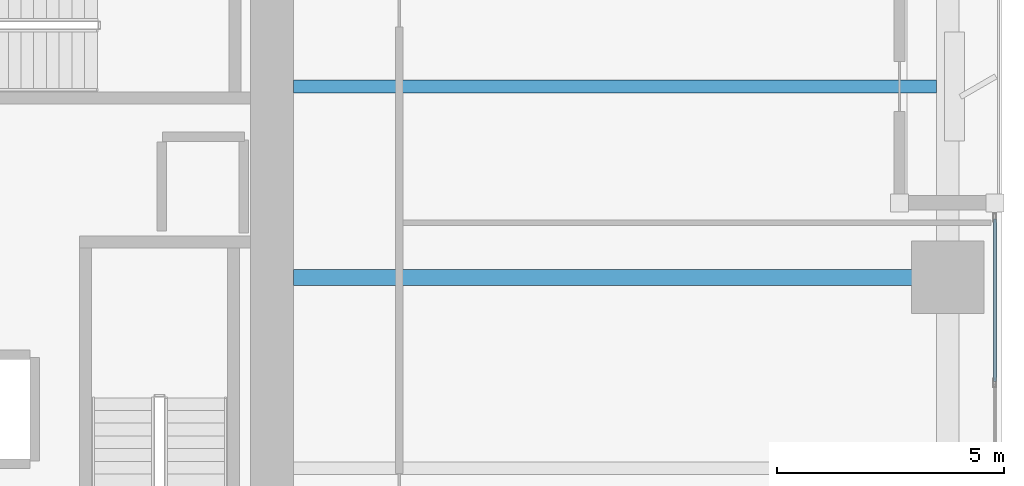
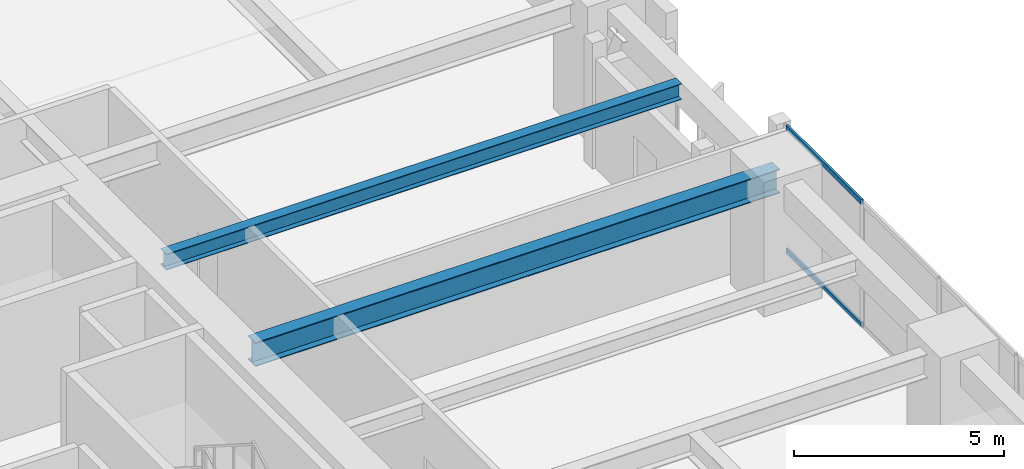
# One storey, part 9 of 28: 2 beams, 2 members, 1 element without a shape of its own.
"""IFC4 building model written with IfcOpenShell, lengths in metres."""

from ifc_helpers import new_model, si_unit, direction, frame, origin, origin_2d, place, context, subcontext, project, spatial, hollow_rectangle, i_section, extrude, material, layer, layer_set, material_profile, profile_set, type_object, element, aggregate, save


model = new_model("IFC4")

# Units and contexts
model_context = context("Model", 3, precision=1e-05, world=origin(), true_north=direction((0.0, 1.0)))
body_context = subcontext(model_context, "Body", "Model", "MODEL_VIEW")
ifc_project = project(units=[si_unit("LENGTHUNIT", "METRE"), si_unit("AREAUNIT", "SQUARE_METRE"), si_unit("VOLUMEUNIT", "CUBIC_METRE"), si_unit("PLANEANGLEUNIT", "RADIAN"), si_unit("MASSUNIT", "GRAM", prefix="KILO")], contexts=[model_context])

# Site, building, storey
site_placement = place(None, origin())
site = spatial("IfcSite", under=ifc_project, at=site_placement, CompositionType="ELEMENT")
building_placement = place(site_placement, origin())
building = spatial("IfcBuilding", under=site, at=building_placement, Name="Kiyonajd Concourse Tower", CompositionType="ELEMENT")
storey_placement = place(building_placement, frame((0.0, 0.0, 37.199951171875)))
storey = spatial("IfcBuildingStorey", under=building, at=storey_placement, Name="L10", CompositionType="ELEMENT", Elevation=37.199951171875)

# Beams
ifc_material_1 = material(Name="Steel ASTM A992 Grade 50", Category="steel")
ifc_material_profile_1 = material_profile(ifc_material_1, i_section(OverallWidth=0.280029296875, OverallDepth=0.462890625, WebThickness=0.0107421875, FlangeThickness=0.017333984375, at=origin_2d()), Name="W460X113")
ifc_profile_set_1 = profile_set([ifc_material_profile_1], Name="Steel ASTM A992 Grade 50")
beam_type_1 = type_object("IfcBeamType", Name="BM-JST-460A", PredefinedType="JOIST", material=ifc_profile_set_1)
beam_1_placement = place(storey_placement, frame((63.60009765625, 40.199951171875, 3.408447265625), z_axis=(1.0, 0.0, 0.0), x_axis=(0.0, 1.0, 0.0)))
element("IfcBeam", 1, at=beam_1_placement, inside=storey, type_object=beam_type_1, Name="L10 East Secondary Floor Joist", PredefinedType="JOIST", context=body_context, shape_type="SweptSolid", body=[
    extrude(i_section(OverallWidth=0.280029296875, OverallDepth=0.462890625, WebThickness=0.0107421875, FlangeThickness=0.017333984375, at=origin_2d()), origin(), (0.0, 0.0, 1.0), 14.14990234375),
])
ifc_material_profile_2 = material_profile(ifc_material_1, i_section(OverallWidth=0.35498046875, OverallDepth=0.695068359375, WebThickness=0.015380859375, FlangeThickness=0.02490234375, at=origin_2d()), Name="W690X217")
ifc_profile_set_2 = profile_set([ifc_material_profile_2], Name="Steel ASTM A992 Grade 50")
beam_type_2 = type_object("IfcBeamType", Name="BM-TWR-690", PredefinedType="BEAM", material=ifc_profile_set_2)
beam_2_placement = place(storey_placement, frame((63.60009765625, 36.0, 3.29248046875), z_axis=(1.0, 0.0, 0.0), x_axis=(0.0, 1.0, 0.0)))
element("IfcBeam", 2, at=beam_2_placement, inside=storey, type_object=beam_type_2, Name="L10 East Lease Girder", PredefinedType="BEAM", context=body_context, shape_type="SweptSolid", body=[
    extrude(i_section(OverallWidth=0.35498046875, OverallDepth=0.695068359375, WebThickness=0.015380859375, FlangeThickness=0.02490234375, at=origin_2d()), origin(), (0.0, 0.0, 1.0), 14.39990234375),
])

# Curtain wall, members
ifc_material_2 = material(Name="Thermally Broken Anodised Aluminium", Category="aluminium")
ifc_layer = layer(ifc_material_2, 0.179931640625)
ifc_layer_set = layer_set([ifc_layer], Name="Thermally Broken Anodised Aluminium")
curtain_wall_type = type_object("IfcCurtainWallType", Name="CW-SYS-02", PredefinedType="NOTDEFINED", material=ifc_layer_set)
curtain_wall_placement = place(storey_placement, origin())
curtain_wall = element("IfcCurtainWall", 3, at=curtain_wall_placement, inside=storey, type_object=curtain_wall_type, Name="L10 Unitised Curtain Wall CW2", PredefinedType="NOTDEFINED")
ifc_material_profile_3 = material_profile(ifc_material_2, hollow_rectangle(XDim=0.06494140625, YDim=0.139892578125, WallThickness=0.00390625, at=origin_2d()), Name="TRAN-65x140")
ifc_profile_set_3 = profile_set([ifc_material_profile_3], Name="Thermally Broken Anodised Aluminium")
member_type = type_object("IfcMemberType", Name="MB-CW-TRAN1", PredefinedType="USERDEFINED", material=ifc_profile_set_3)
member_1_placement = place(storey_placement, frame((79.0400390625, 37.284912109375, 0.032470703125), z_axis=(0.0, -1.0, 0.0), x_axis=(1.0, 0.0, 0.0)))
member_1 = element("IfcMember", 4, at=member_1_placement, type_object=member_type, Name="CW2 transom 1.1", ObjectType="TRANSOM", PredefinedType="USERDEFINED", context=body_context, shape_type="SweptSolid", body=[
    extrude(hollow_rectangle(XDim=0.06494140625, YDim=0.139892578125, WallThickness=0.00390625, at=origin_2d()), origin(), (0.0, 0.0, 1.0), 3.57568359375),
])
member_2_placement = place(storey_placement, frame((79.0400390625, 37.284912109375, 3.607666015625), z_axis=(0.0, -1.0, 0.0), x_axis=(1.0, 0.0, 0.0)))
member_2 = element("IfcMember", 5, at=member_2_placement, type_object=member_type, Name="CW2 transom 1.2", ObjectType="TRANSOM", PredefinedType="USERDEFINED", context=body_context, shape_type="SweptSolid", body=[
    extrude(hollow_rectangle(XDim=0.06494140625, YDim=0.139892578125, WallThickness=0.00390625, at=origin_2d()), origin(), (0.0, 0.0, 1.0), 3.57568359375),
])
aggregate(curtain_wall, [member_1, member_2])

save(model, "model.ifc")
